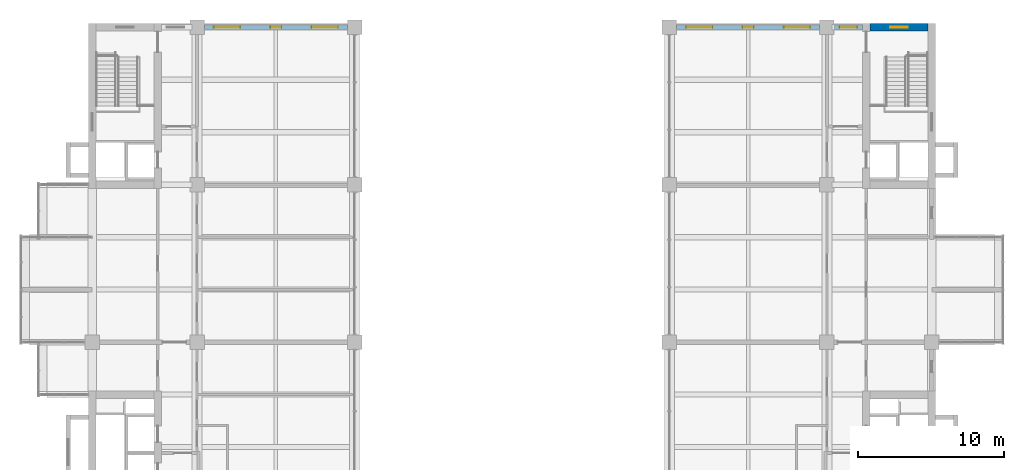
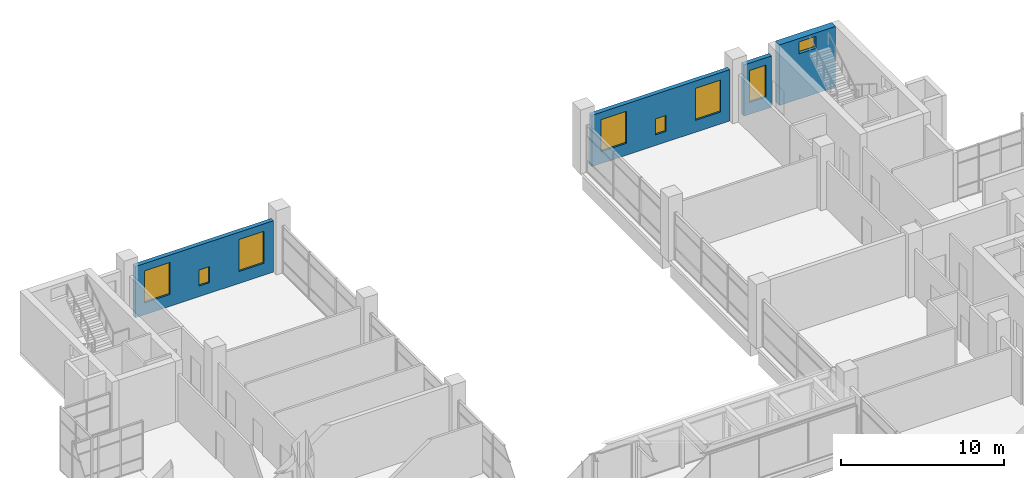
# One storey, part 32 of 35: 8 windows, 4 walls, 8 openings.
"""IFC4 building model written with IfcOpenShell, lengths in metres."""

from ifc_helpers import new_model, si_unit, direction, frame, frame_2d, origin, place, context, subcontext, project, spatial, rectangle, extrude, material, layer, layer_set, type_object, element, fill, save


model = new_model("IFC4")

# Units and contexts
model_context = context("Model", 3, precision=1e-05, world=origin(), true_north=direction((0.0, 1.0)))
body_context = subcontext(model_context, "Body", "Model", "MODEL_VIEW")
ifc_project = project(units=[si_unit("LENGTHUNIT", "METRE"), si_unit("AREAUNIT", "SQUARE_METRE"), si_unit("VOLUMEUNIT", "CUBIC_METRE"), si_unit("PLANEANGLEUNIT", "RADIAN"), si_unit("MASSUNIT", "GRAM", prefix="KILO")], contexts=[model_context])

# Site, building, storey
site_placement = place(None, origin())
site = spatial("IfcSite", under=ifc_project, at=site_placement, CompositionType="ELEMENT")
building_placement = place(site_placement, origin())
building = spatial("IfcBuilding", under=site, at=building_placement, Name="Basin Gate Institute", CompositionType="ELEMENT")
storey_placement = place(building_placement, frame((0.0, 0.0, 31.800048828125)))
storey = spatial("IfcBuildingStorey", under=building, at=storey_placement, Name="L06", CompositionType="ELEMENT", Elevation=31.800048828125)

# Wall, openings, windows
ifc_material_1 = material(Name="Aluminium-faced insulated panel wall", Category="aluminium")
ifc_layer_1 = layer(ifc_material_1, 0.300048828125)
ifc_layer_set_1 = layer_set([ifc_layer_1], Name="External wall EW1 EI 120")
wall_type_1 = type_object("IfcWallType", Name="External wall EW1 EI 120", PredefinedType="STANDARD", material=ifc_layer_set_1)
wall_1_placement = place(storey_placement, frame((68.89990234375, 99.89990234375, 0.0), z_axis=(0.0, 0.0, 1.0), x_axis=(1.0, 0.0, 0.0)))
wall_1 = element("IfcWall", 1, at=wall_1_placement, inside=storey, type_object=wall_type_1, material=ifc_layer_set_1, Name="External end wall W wing north L06 2", PredefinedType="STANDARD", context=body_context, shape_type="SweptSolid", body=[
    extrude(rectangle(XDim=9.800048828125, YDim=0.300048828125, at=frame_2d((4.89990234375, 0.0))), origin(), (0.0, 0.0, 1.0), 3.849853515625),
])
opening_1_placement = place(wall_1_placement, frame((0.64990234375, 0.0, 0.89990234375)))
opening_1 = element("IfcOpeningElement", 2, at=opening_1_placement, cuts=wall_1, Name="Opening WN1", PredefinedType="OPENING", context=body_context, shape_type="SweptSolid", body=[
    extrude(rectangle(XDim=1.800048828125, YDim=2.39990234375, at=frame_2d((0.89990234375, 1.199951171875))), frame((0.0, 0.16015625, 0.0), z_axis=(0.0, -1.0, 0.0), x_axis=(1.0, 0.0, 0.0)), (0.0, 0.0, 1.0), 0.320068359375),
])
opening_2_placement = place(wall_1_placement, frame((4.52490234375, 0.0, 0.800048828125)))
opening_2 = element("IfcOpeningElement", 3, at=opening_2_placement, cuts=wall_1, Name="Opening WN3", PredefinedType="OPENING", context=body_context, shape_type="SweptSolid", body=[
    extrude(rectangle(XDim=0.75, YDim=1.199951171875, at=frame_2d((0.375, 0.60009765625))), frame((0.0, 0.16015625, 0.0), z_axis=(0.0, -1.0, 0.0), x_axis=(1.0, 0.0, 0.0)), (0.0, 0.0, 1.0), 0.320068359375),
])
opening_3_placement = place(wall_1_placement, frame((7.35009765625, 0.0, 0.89990234375)))
opening_3 = element("IfcOpeningElement", 4, at=opening_3_placement, cuts=wall_1, Name="Opening WN1", PredefinedType="OPENING", context=body_context, shape_type="SweptSolid", body=[
    extrude(rectangle(XDim=1.800048828125, YDim=2.39990234375, at=frame_2d((0.89990234375, 1.199951171875))), frame((0.0, 0.16015625, 0.0), z_axis=(0.0, -1.0, 0.0), x_axis=(1.0, 0.0, 0.0)), (0.0, 0.0, 1.0), 0.320068359375),
])
ifc_material_2 = material(Name="Aluminium-framed double glazing", Category="aluminium")
window_type_1 = type_object("IfcWindowType", Name="Emergency entry panel WN3", PartitioningType="SINGLE_PANEL", PredefinedType="WINDOW", material=ifc_material_2)
window_1_placement = place(opening_2_placement, origin())
window_1 = element("IfcWindow", 5, at=window_1_placement, inside=storey, type_object=window_type_1, material=ifc_material_2, Name="Emergency entry panel W wing end N L06 bay 2", OverallHeight=1.199951171875, OverallWidth=0.75, PartitioningType="SINGLE_PANEL", PredefinedType="WINDOW", context=body_context, shape_type="SweptSolid", body=[
    extrude(rectangle(XDim=0.75, YDim=1.199951171875, at=frame_2d((0.375, 0.60009765625))), frame((0.0, 0.030029296875, 0.0), z_axis=(0.0, -1.0, 0.0), x_axis=(1.0, 0.0, 0.0)), (0.0, 0.0, 1.0), 0.06005859375),
])
fill(opening_2, window_1)
ifc_material_3 = material(Name="Aluminium-framed double glazing", Category="aluminium")
window_type_2 = type_object("IfcWindowType", Name="Facade window WN1", PartitioningType="SINGLE_PANEL", PredefinedType="WINDOW", material=ifc_material_3)
window_2_placement = place(opening_1_placement, origin())
window_2 = element("IfcWindow", 6, at=window_2_placement, inside=storey, type_object=window_type_2, material=ifc_material_3, Name="Facade window W wing end N L06 bay 1", OverallHeight=2.39990234375, OverallWidth=1.800048828125, PartitioningType="SINGLE_PANEL", PredefinedType="WINDOW", context=body_context, shape_type="SweptSolid", body=[
    extrude(rectangle(XDim=1.800048828125, YDim=2.39990234375, at=frame_2d((0.89990234375, 1.199951171875))), frame((0.0, 0.030029296875, 0.0), z_axis=(0.0, -1.0, 0.0), x_axis=(1.0, 0.0, 0.0)), (0.0, 0.0, 1.0), 0.06005859375),
])
fill(opening_1, window_2)
window_3_placement = place(opening_3_placement, origin())
window_3 = element("IfcWindow", 7, at=window_3_placement, inside=storey, type_object=window_type_2, material=ifc_material_3, Name="Facade window W wing end N L06 bay 3", OverallHeight=2.39990234375, OverallWidth=1.800048828125, PartitioningType="SINGLE_PANEL", PredefinedType="WINDOW", context=body_context, shape_type="SweptSolid", body=[
    extrude(rectangle(XDim=1.800048828125, YDim=2.39990234375, at=frame_2d((0.89990234375, 1.199951171875))), frame((0.0, 0.030029296875, 0.0), z_axis=(0.0, -1.0, 0.0), x_axis=(1.0, 0.0, 0.0)), (0.0, 0.0, 1.0), 0.06005859375),
])
fill(opening_3, window_3)

# Wall, opening, window
wall_2_placement = place(storey_placement, frame((114.050048828125, 99.89990234375, 0.0), z_axis=(0.0, 0.0, 1.0), x_axis=(-1.0, 0.0, 0.0)))
wall_2 = element("IfcWall", 8, at=wall_2_placement, inside=storey, type_object=wall_type_1, material=ifc_layer_set_1, Name="External end wall E wing north L06 1", PredefinedType="STANDARD", context=body_context, shape_type="SweptSolid", body=[
    extrude(rectangle(XDim=1.949951171875, YDim=0.300048828125, at=frame_2d((0.97509765625, 0.0))), origin(), (0.0, 0.0, 1.0), 3.849853515625),
])
opening_4_placement = place(wall_2_placement, frame((0.375, 0.0, 0.89990234375)))
opening_4 = element("IfcOpeningElement", 9, at=opening_4_placement, cuts=wall_2, Name="Opening WN4", PredefinedType="OPENING", context=body_context, shape_type="SweptSolid", body=[
    extrude(rectangle(XDim=1.199951171875, YDim=2.39990234375, at=frame_2d((0.60009765625, 1.199951171875))), frame((0.0, 0.16015625, 0.0), z_axis=(0.0, -1.0, 0.0), x_axis=(1.0, 0.0, 0.0)), (0.0, 0.0, 1.0), 0.320068359375),
])
ifc_material_4 = material(Name="Aluminium-framed double glazing", Category="aluminium")
window_type_3 = type_object("IfcWindowType", Name="Corridor end window WN4", PartitioningType="SINGLE_PANEL", PredefinedType="WINDOW", material=ifc_material_4)
window_4_placement = place(opening_4_placement, origin())
window_4 = element("IfcWindow", 10, at=window_4_placement, inside=storey, type_object=window_type_3, material=ifc_material_4, Name="Corridor end window E wing N L06", OverallHeight=2.39990234375, OverallWidth=1.199951171875, PartitioningType="SINGLE_PANEL", PredefinedType="WINDOW", context=body_context, shape_type="SweptSolid", body=[
    extrude(rectangle(XDim=1.199951171875, YDim=2.39990234375, at=frame_2d((0.60009765625, 1.199951171875))), frame((0.0, 0.030029296875, 0.0), z_axis=(0.0, -1.0, 0.0), x_axis=(1.0, 0.0, 0.0)), (0.0, 0.0, 1.0), 0.06005859375),
])
fill(opening_4, window_4)

# Wall, openings, windows
wall_3_placement = place(storey_placement, frame((111.10009765625, 99.89990234375, 0.0), z_axis=(0.0, 0.0, 1.0), x_axis=(-1.0, 0.0, 0.0)))
wall_3 = element("IfcWall", 11, at=wall_3_placement, inside=storey, type_object=wall_type_1, material=ifc_layer_set_1, Name="External end wall E wing north L06 2", PredefinedType="STANDARD", context=body_context, shape_type="SweptSolid", body=[
    extrude(rectangle(XDim=9.800048828125, YDim=0.300048828125, at=frame_2d((4.89990234375, 0.0))), origin(), (0.0, 0.0, 1.0), 3.849853515625),
])
opening_5_placement = place(wall_3_placement, frame((0.64990234375, 0.0, 0.89990234375)))
opening_5 = element("IfcOpeningElement", 12, at=opening_5_placement, cuts=wall_3, Name="Opening WN1", PredefinedType="OPENING", context=body_context, shape_type="SweptSolid", body=[
    extrude(rectangle(XDim=1.800048828125, YDim=2.39990234375, at=frame_2d((0.89990234375, 1.199951171875))), frame((0.0, 0.16015625, 0.0), z_axis=(0.0, -1.0, 0.0), x_axis=(1.0, 0.0, 0.0)), (0.0, 0.0, 1.0), 0.320068359375),
])
opening_6_placement = place(wall_3_placement, frame((4.52490234375, 0.0, 0.800048828125)))
opening_6 = element("IfcOpeningElement", 13, at=opening_6_placement, cuts=wall_3, Name="Opening WN3", PredefinedType="OPENING", context=body_context, shape_type="SweptSolid", body=[
    extrude(rectangle(XDim=0.75, YDim=1.199951171875, at=frame_2d((0.375, 0.60009765625))), frame((0.0, 0.16015625, 0.0), z_axis=(0.0, -1.0, 0.0), x_axis=(1.0, 0.0, 0.0)), (0.0, 0.0, 1.0), 0.320068359375),
])
opening_7_placement = place(wall_3_placement, frame((7.35009765625, 0.0, 0.89990234375)))
opening_7 = element("IfcOpeningElement", 14, at=opening_7_placement, cuts=wall_3, Name="Opening WN1", PredefinedType="OPENING", context=body_context, shape_type="SweptSolid", body=[
    extrude(rectangle(XDim=1.800048828125, YDim=2.39990234375, at=frame_2d((0.89990234375, 1.199951171875))), frame((0.0, 0.16015625, 0.0), z_axis=(0.0, -1.0, 0.0), x_axis=(1.0, 0.0, 0.0)), (0.0, 0.0, 1.0), 0.320068359375),
])
window_5_placement = place(opening_6_placement, origin())
window_5 = element("IfcWindow", 15, at=window_5_placement, inside=storey, type_object=window_type_1, material=ifc_material_2, Name="Emergency entry panel E wing end N L06 bay 2", OverallHeight=1.199951171875, OverallWidth=0.75, PartitioningType="SINGLE_PANEL", PredefinedType="WINDOW", context=body_context, shape_type="SweptSolid", body=[
    extrude(rectangle(XDim=0.75, YDim=1.199951171875, at=frame_2d((0.375, 0.60009765625))), frame((0.0, 0.030029296875, 0.0), z_axis=(0.0, -1.0, 0.0), x_axis=(1.0, 0.0, 0.0)), (0.0, 0.0, 1.0), 0.06005859375),
])
fill(opening_6, window_5)
window_6_placement = place(opening_5_placement, origin())
window_6 = element("IfcWindow", 16, at=window_6_placement, inside=storey, type_object=window_type_2, material=ifc_material_3, Name="Facade window E wing end N L06 bay 1", OverallHeight=2.39990234375, OverallWidth=1.800048828125, PartitioningType="SINGLE_PANEL", PredefinedType="WINDOW", context=body_context, shape_type="SweptSolid", body=[
    extrude(rectangle(XDim=1.800048828125, YDim=2.39990234375, at=frame_2d((0.89990234375, 1.199951171875))), frame((0.0, 0.030029296875, 0.0), z_axis=(0.0, -1.0, 0.0), x_axis=(1.0, 0.0, 0.0)), (0.0, 0.0, 1.0), 0.06005859375),
])
fill(opening_5, window_6)
window_7_placement = place(opening_7_placement, origin())
window_7 = element("IfcWindow", 17, at=window_7_placement, inside=storey, type_object=window_type_2, material=ifc_material_3, Name="Facade window E wing end N L06 bay 3", OverallHeight=2.39990234375, OverallWidth=1.800048828125, PartitioningType="SINGLE_PANEL", PredefinedType="WINDOW", context=body_context, shape_type="SweptSolid", body=[
    extrude(rectangle(XDim=1.800048828125, YDim=2.39990234375, at=frame_2d((0.89990234375, 1.199951171875))), frame((0.0, 0.030029296875, 0.0), z_axis=(0.0, -1.0, 0.0), x_axis=(1.0, 0.0, 0.0)), (0.0, 0.0, 1.0), 0.06005859375),
])
fill(opening_7, window_7)

# Wall, opening, window
ifc_material_5 = material(Name="Concrete 60 MPa", Category="concrete")
ifc_layer_2 = layer(ifc_material_5, 0.5)
ifc_layer_set_2 = layer_set([ifc_layer_2], Name="Concrete 60 MPa")
wall_type_2 = type_object("IfcWallType", Name="Wall SW1 R120", PredefinedType="SHEAR", material=ifc_layer_set_2)
wall_4_placement = place(storey_placement, frame((118.550048828125, 99.89990234375, 0.0), z_axis=(0.0, 0.0, 1.0), x_axis=(-1.0, 0.0, 0.0)))
wall_4 = element("IfcWall", 18, at=wall_4_placement, inside=storey, type_object=wall_type_2, material=ifc_layer_set_2, Name="WALL/L06/EN/N", PredefinedType="SHEAR", context=body_context, shape_type="SweptSolid", body=[
    extrude(rectangle(XDim=4.0, YDim=0.5, at=frame_2d((2.0, 0.0))), origin(), (0.0, 0.0, 1.0), 4.550048828125),
])
opening_8_placement = place(wall_4_placement, frame((1.39990234375, 0.0, 3.39990234375)))
opening_8 = element("IfcOpeningElement", 19, at=opening_8_placement, cuts=wall_4, Name="Opening WT2", PredefinedType="OPENING", context=body_context, shape_type="SweptSolid", body=[
    extrude(rectangle(XDim=1.199951171875, YDim=0.89990234375, at=frame_2d((0.60009765625, 0.449951171875))), frame((0.0, 0.260009765625, 0.0), z_axis=(0.0, -1.0, 0.0), x_axis=(1.0, 0.0, 0.0)), (0.0, 0.0, 1.0), 0.52001953125),
])
ifc_material_6 = material(Name="Fire-resistant glazing in steel-free frame", Category="steel")
window_type_4 = type_object("IfcWindowType", Name="Rated stair window EI 120 WT2", PartitioningType="SINGLE_PANEL", PredefinedType="WINDOW", material=ifc_material_6)
window_8_placement = place(opening_8_placement, origin())
window_8 = element("IfcWindow", 20, at=window_8_placement, inside=storey, type_object=window_type_4, material=ifc_material_6, Name="Rated stair window EI 120 EN end L06", OverallHeight=0.89990234375, OverallWidth=1.199951171875, PartitioningType="SINGLE_PANEL", PredefinedType="WINDOW", context=body_context, shape_type="SweptSolid", body=[
    extrude(rectangle(XDim=1.199951171875, YDim=0.89990234375, at=frame_2d((0.60009765625, 0.449951171875))), frame((0.0, 0.030029296875, 0.0), z_axis=(0.0, -1.0, 0.0), x_axis=(1.0, 0.0, 0.0)), (0.0, 0.0, 1.0), 0.06005859375),
])
fill(opening_8, window_8)

save(model, "model.ifc")
